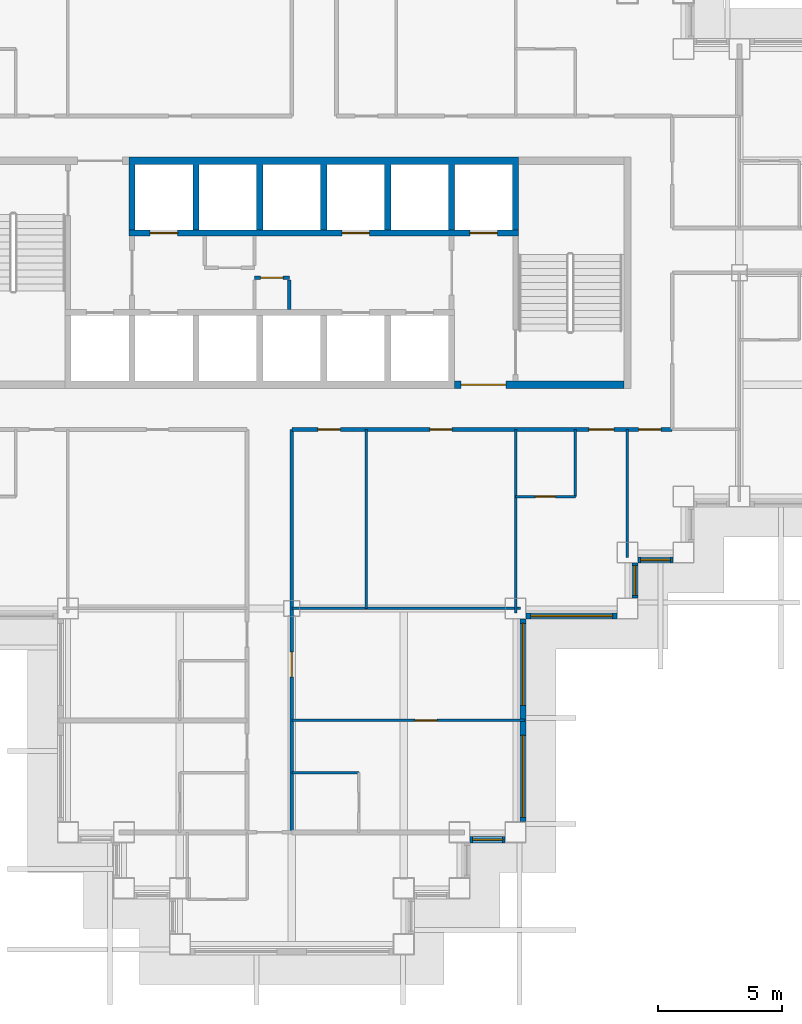
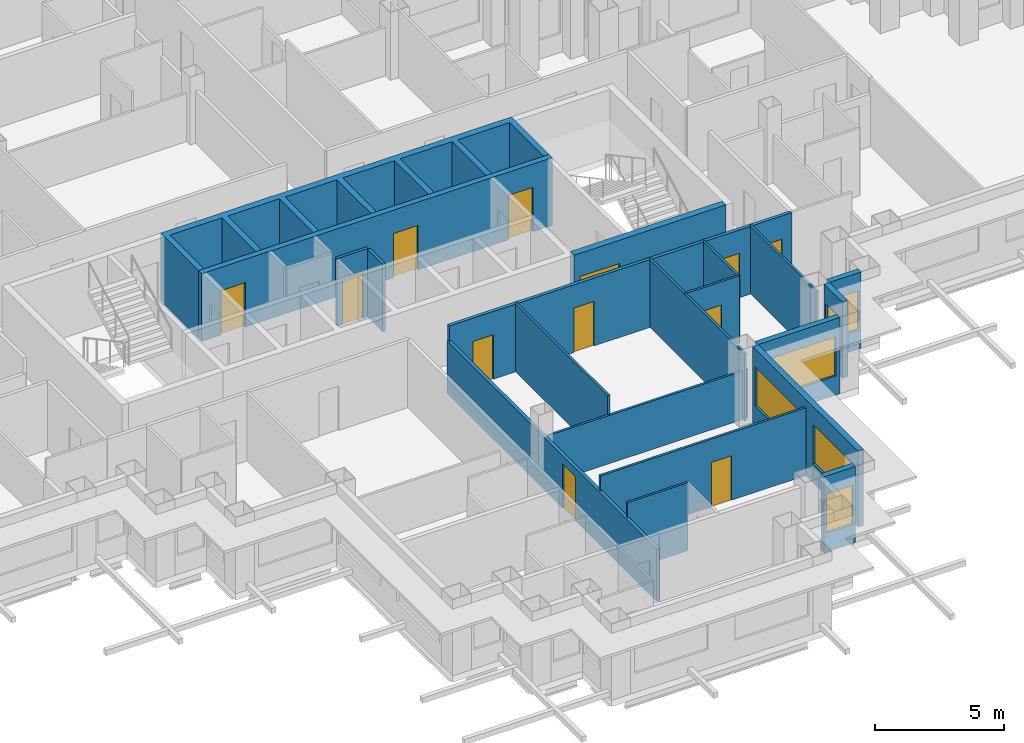
# One storey, part 7 of 17: 20 walls, 12 doors, 6 windows, 18 openings.
"""IFC4 building model written with IfcOpenShell, lengths in metres."""

from ifc_helpers import new_model, si_unit, direction, frame, frame_2d, origin, place, context, subcontext, project, spatial, polyline, rectangle, outline, extrude, material, layer, layer_set, type_object, element, fill, save


model = new_model("IFC4")

# Units and contexts
model_context = context("Model", 3, precision=1e-05, world=origin(), true_north=direction((0.0, 1.0)))
body_context = subcontext(model_context, "Body", "Model", "MODEL_VIEW")
ifc_project = project(units=[si_unit("LENGTHUNIT", "METRE"), si_unit("AREAUNIT", "SQUARE_METRE"), si_unit("VOLUMEUNIT", "CUBIC_METRE"), si_unit("PLANEANGLEUNIT", "RADIAN"), si_unit("MASSUNIT", "GRAM", prefix="KILO")], contexts=[model_context])

# Site, building, storey
site_placement = place(None, origin())
site = spatial("IfcSite", under=ifc_project, at=site_placement, CompositionType="ELEMENT")
building_placement = place(site_placement, origin())
building = spatial("IfcBuilding", under=site, at=building_placement, Name="Caravel Reach Hotel and Residences", CompositionType="ELEMENT")
storey_placement = place(building_placement, frame((0.0, 0.0, 136.800048828125)))
storey = spatial("IfcBuildingStorey", under=building, at=storey_placement, Name="L34", CompositionType="ELEMENT", Elevation=136.800048828125)

# Wall, opening, door
ifc_material_1 = material(Name="Gypsum board on steel stud", Category="steel")
ifc_layer_1 = layer(ifc_material_1, 0.10009765625)
ifc_layer_set_1 = layer_set([ifc_layer_1], Name="Bathroom pod wall 100 mm")
wall_type_1 = type_object("IfcWallType", Name="Bathroom pod wall 100 mm", PredefinedType="PARTITIONING", material=ifc_layer_set_1)
wall_1_placement = place(storey_placement, frame((40.5, 18.0, 0.0), z_axis=(0.0, 0.0, 1.0), x_axis=(1.0, 0.0, 0.0)))
wall_1 = element("IfcWall", 1, at=wall_1_placement, inside=storey, type_object=wall_type_1, Name="L34 wall w084", PredefinedType="PARTITIONING", context=body_context, shape_type="SweptSolid", body=[
    extrude(rectangle(XDim=2.39990234375, YDim=0.10009765625, at=frame_2d((1.199951171875, 0.0))), origin(), (0.0, 0.0, 1.0), 3.199951171875),
])
opening_1_placement = place(wall_1_placement, frame((0.800048828125, 0.0, 0.0)))
opening_1 = element("IfcOpeningElement", 2, at=opening_1_placement, cuts=wall_1, Name="Opening D34-055", PredefinedType="OPENING", context=body_context, shape_type="SweptSolid", body=[
    extrude(rectangle(XDim=0.800048828125, YDim=2.10009765625, at=frame_2d((0.39990234375, 1.050048828125))), frame((0.0, 0.06005859375, 0.0), z_axis=(0.0, -1.0, 0.0), x_axis=(1.0, 0.0, 0.0)), (0.0, 0.0, 1.0), 0.1201171875),
])
ifc_material_2 = material(Name="Timber and steel door leaf", Category="steel")
door_type_1 = type_object("IfcDoorType", Name="Bathroom door 800 x 2100", OperationType="SINGLE_SWING_LEFT", PredefinedType="DOOR", material=ifc_material_2)
door_1_placement = place(opening_1_placement, origin())
door_1 = element("IfcDoor", 3, at=door_1_placement, inside=storey, type_object=door_type_1, Name="door D34-055", OperationType="SINGLE_SWING_LEFT", OverallHeight=2.10009765625, OverallWidth=0.800048828125, PredefinedType="DOOR", context=body_context, shape_type="SweptSolid", body=[
    extrude(rectangle(XDim=0.800048828125, YDim=2.10009765625, at=frame_2d((0.39990234375, 1.050048828125))), frame((0.0, 0.02490234375, 0.0), z_axis=(0.0, -1.0, 0.0), x_axis=(1.0, 0.0, 0.0)), (0.0, 0.0, 1.0), 0.050048828125),
])
fill(opening_1, door_1)

# Walls
for number, where, z_axis, x_axis, name in (
    (4, (31.5, 6.89990234375, 0.0), (0.0, 0.0, 1.0), (1.0, 0.0, 0.0), "L34 wall w099"),
    (5, (42.89990234375, 18.0, 0.0), (0.0, 0.0, 1.0), (0.0, 1.0, 0.0), "L34 wall w116"),
):
    element("IfcWall", number, at=place(storey_placement, frame(where, z_axis=z_axis, x_axis=x_axis)), inside=storey, type_object=wall_type_1, Name=name, PredefinedType="PARTITIONING", context=body_context, shape_type="SweptSolid", body=[
        extrude(rectangle(XDim=2.699951171875, YDim=0.10009765625, at=frame_2d((1.35009765625, 0.0))), origin(), (0.0, 0.0, 1.0), 3.199951171875),
    ])

# Wall, opening, door
ifc_material_3 = material(Name="Concrete C60", Category="concrete")
ifc_layer_2 = layer(ifc_material_3, 0.300048828125)
ifc_layer_set_2 = layer_set([ifc_layer_2], Name="Core wall 300 mm EI 120")
wall_type_2 = type_object("IfcWallType", Name="Core wall 300 mm EI 120", PredefinedType="SHEAR", material=ifc_layer_set_2)
wall_2_placement = place(storey_placement, frame((38.053466796875, 22.5, 0.0), z_axis=(0.0, 0.0, 1.0), x_axis=(1.0, 0.0, 0.0)))
wall_2 = element("IfcWall", 6, at=wall_2_placement, inside=storey, type_object=wall_type_2, Name="L34 core wall S2", PredefinedType="SHEAR", context=body_context, shape_type="SweptSolid", body=[
    extrude(rectangle(XDim=6.796630859375, YDim=0.300048828125, at=frame_2d((3.3984375, 0.0))), origin(), (0.0, 0.0, 1.0), 3.199951171875),
])
opening_2_placement = place(wall_2_placement, frame((0.2607421875, 0.0, 0.0)))
opening_2 = element("IfcOpeningElement", 7, at=opening_2_placement, cuts=wall_2, Name="Opening D34-015", PredefinedType="OPENING", context=body_context, shape_type="SweptSolid", body=[
    extrude(rectangle(XDim=1.800048828125, YDim=2.10009765625, at=frame_2d((0.89990234375, 1.050048828125))), frame((0.0, 0.159912109375, 0.0), z_axis=(0.0, -1.0, 0.0), x_axis=(1.0, 0.0, 0.0)), (0.0, 0.0, 1.0), 0.320068359375),
])
ifc_material_4 = material(Name="Steel fire door leaf", Category="steel")
door_type_2 = type_object("IfcDoorType", Name="Fire lobby door pair 1800 x 2100 EI 90", OperationType="DOUBLE_DOOR_SINGLE_SWING", PredefinedType="DOOR", material=ifc_material_4)
door_2_placement = place(opening_2_placement, origin())
door_2 = element("IfcDoor", 8, at=door_2_placement, inside=storey, type_object=door_type_2, Name="lobby S door pair to corridor", OperationType="DOUBLE_DOOR_SINGLE_SWING", OverallHeight=2.10009765625, OverallWidth=1.800048828125, PredefinedType="DOOR", context=body_context, shape_type="SweptSolid", body=[
    extrude(rectangle(XDim=1.800048828125, YDim=2.10009765625, at=frame_2d((0.89990234375, 1.050048828125))), frame((0.0, 0.02490234375, 0.0), z_axis=(0.0, -1.0, 0.0), x_axis=(1.0, 0.0, 0.0)), (0.0, 0.0, 1.0), 0.050048828125),
])
fill(opening_2, door_2)

# Wall, openings, doors
ifc_material_5 = material(Name="Gypsum board on steel stud, fire-rated", Category="steel")
ifc_layer_3 = layer(ifc_material_5, 0.14990234375)
ifc_layer_set_3 = layer_set([ifc_layer_3], Name="Corridor wall 150 mm EI 60")
wall_type_3 = type_object("IfcWallType", Name="Corridor wall 150 mm EI 60", PredefinedType="PARTITIONING", material=ifc_layer_set_3)
wall_3_placement = place(storey_placement, frame((31.5, 20.699951171875, 0.0), z_axis=(0.0, 0.0, 1.0), x_axis=(1.0, 0.0, 0.0)))
wall_3 = element("IfcWall", 9, at=wall_3_placement, inside=storey, type_object=wall_type_3, Name="L34 wall w004", PredefinedType="PARTITIONING", context=body_context, shape_type="SweptSolid", body=[
    extrude(rectangle(XDim=15.300048828125, YDim=0.14990234375, at=frame_2d((7.64990234375, 0.0))), origin(), (0.0, 0.0, 1.0), 3.199951171875),
])
opening_3_placement = place(wall_3_placement, frame((11.949951171875, 0.0, 0.0)))
opening_3 = element("IfcOpeningElement", 10, at=opening_3_placement, cuts=wall_3, Name="Opening D34-054", PredefinedType="OPENING", context=body_context, shape_type="SweptSolid", body=[
    extrude(rectangle(XDim=1.0, YDim=2.10009765625, at=frame_2d((0.5, 1.050048828125))), frame((0.0, 0.0849609375, 0.0), z_axis=(0.0, -1.0, 0.0), x_axis=(1.0, 0.0, 0.0)), (0.0, 0.0, 1.0), 0.169921875),
])
opening_4_placement = place(wall_3_placement, frame((13.949951171875, 0.0, 0.0)))
opening_4 = element("IfcOpeningElement", 11, at=opening_4_placement, cuts=wall_3, Name="Opening D34-056", PredefinedType="OPENING", context=body_context, shape_type="SweptSolid", body=[
    extrude(rectangle(XDim=0.89990234375, YDim=2.10009765625, at=frame_2d((0.449951171875, 1.050048828125))), frame((0.0, 0.0849609375, 0.0), z_axis=(0.0, -1.0, 0.0), x_axis=(1.0, 0.0, 0.0)), (0.0, 0.0, 1.0), 0.169921875),
])
opening_5_placement = place(wall_3_placement, frame((1.050048828125, 0.0, 0.0)))
opening_5 = element("IfcOpeningElement", 12, at=opening_5_placement, cuts=wall_3, Name="Opening D34-061", PredefinedType="OPENING", context=body_context, shape_type="SweptSolid", body=[
    extrude(rectangle(XDim=0.89990234375, YDim=2.10009765625, at=frame_2d((0.449951171875, 1.050048828125))), frame((0.0, 0.0849609375, 0.0), z_axis=(0.0, -1.0, 0.0), x_axis=(1.0, 0.0, 0.0)), (0.0, 0.0, 1.0), 0.169921875),
])
opening_6_placement = place(wall_3_placement, frame((5.550048828125, 0.0, 0.0)))
opening_6 = element("IfcOpeningElement", 13, at=opening_6_placement, cuts=wall_3, Name="Opening D34-062", PredefinedType="OPENING", context=body_context, shape_type="SweptSolid", body=[
    extrude(rectangle(XDim=0.89990234375, YDim=2.10009765625, at=frame_2d((0.449951171875, 1.050048828125))), frame((0.0, 0.0849609375, 0.0), z_axis=(0.0, -1.0, 0.0), x_axis=(1.0, 0.0, 0.0)), (0.0, 0.0, 1.0), 0.169921875),
])
ifc_material_6 = material(Name="Timber and steel door leaf", Category="steel")
door_type_3 = type_object("IfcDoorType", Name="Door 900 x 2100 timber", OperationType="SINGLE_SWING_LEFT", PredefinedType="DOOR", material=ifc_material_6)
door_3_placement = place(opening_4_placement, origin())
door_3 = element("IfcDoor", 14, at=door_3_placement, inside=storey, type_object=door_type_3, Name="door D34-056", OperationType="SINGLE_SWING_LEFT", OverallHeight=2.10009765625, OverallWidth=0.89990234375, PredefinedType="DOOR", context=body_context, shape_type="SweptSolid", body=[
    extrude(rectangle(XDim=0.89990234375, YDim=2.10009765625, at=frame_2d((0.449951171875, 1.050048828125))), frame((0.0, 0.02490234375, 0.0), z_axis=(0.0, -1.0, 0.0), x_axis=(1.0, 0.0, 0.0)), (0.0, 0.0, 1.0), 0.050048828125),
])
fill(opening_4, door_3)
door_4_placement = place(opening_5_placement, origin())
door_4 = element("IfcDoor", 15, at=door_4_placement, inside=storey, type_object=door_type_3, Name="door D34-061", OperationType="SINGLE_SWING_RIGHT", OverallHeight=2.10009765625, OverallWidth=0.89990234375, PredefinedType="DOOR", context=body_context, shape_type="SweptSolid", body=[
    extrude(rectangle(XDim=0.89990234375, YDim=2.10009765625, at=frame_2d((0.449951171875, 1.050048828125))), frame((0.0, 0.02490234375, 0.0), z_axis=(0.0, -1.0, 0.0), x_axis=(1.0, 0.0, 0.0)), (0.0, 0.0, 1.0), 0.050048828125),
])
fill(opening_5, door_4)
door_5_placement = place(opening_6_placement, origin())
door_5 = element("IfcDoor", 16, at=door_5_placement, inside=storey, type_object=door_type_3, Name="door D34-062", OperationType="SINGLE_SWING_RIGHT", OverallHeight=2.10009765625, OverallWidth=0.89990234375, PredefinedType="DOOR", context=body_context, shape_type="SweptSolid", body=[
    extrude(rectangle(XDim=0.89990234375, YDim=2.10009765625, at=frame_2d((0.449951171875, 1.050048828125))), frame((0.0, 0.02490234375, 0.0), z_axis=(0.0, -1.0, 0.0), x_axis=(1.0, 0.0, 0.0)), (0.0, 0.0, 1.0), 0.050048828125),
])
fill(opening_6, door_5)
ifc_material_7 = material(Name="Steel fire door leaf", Category="steel")
door_type_4 = type_object("IfcDoorType", Name="Guest room door 1000 x 2100 EI 30", OperationType="SINGLE_SWING_LEFT", PredefinedType="DOOR", material=ifc_material_7)
door_6_placement = place(opening_3_placement, origin())
door_6 = element("IfcDoor", 17, at=door_6_placement, inside=storey, type_object=door_type_4, Name="door D34-054", OperationType="SINGLE_SWING_RIGHT", OverallHeight=2.10009765625, OverallWidth=1.0, PredefinedType="DOOR", context=body_context, shape_type="SweptSolid", body=[
    extrude(rectangle(XDim=1.0, YDim=2.10009765625, at=frame_2d((0.5, 1.050048828125))), frame((0.0, 0.02490234375, 0.0), z_axis=(0.0, -1.0, 0.0), x_axis=(1.0, 0.0, 0.0)), (0.0, 0.0, 1.0), 0.050048828125),
])
fill(opening_3, door_6)

# Wall, opening, door
wall_4_placement = place(storey_placement, frame((31.5, 4.5, 0.0), z_axis=(0.0, 0.0, 1.0), x_axis=(0.0, 1.0, 0.0)))
wall_4 = element("IfcWall", 18, at=wall_4_placement, inside=storey, type_object=wall_type_3, Name="L34 wall w033", PredefinedType="PARTITIONING", context=body_context, shape_type="SweptSolid", body=[
    extrude(rectangle(XDim=16.199951171875, YDim=0.14990234375, at=frame_2d((8.10009765625, 0.0))), origin(), (0.0, 0.0, 1.0), 2.47998046875),
])
opening_7_placement = place(wall_4_placement, frame((6.25, 0.0, 0.0)))
opening_7 = element("IfcOpeningElement", 19, at=opening_7_placement, cuts=wall_4, Name="Opening D34-039", PredefinedType="OPENING", context=body_context, shape_type="SweptSolid", body=[
    extrude(rectangle(XDim=1.0, YDim=2.10009765625, at=frame_2d((0.5, 1.050048828125))), frame((0.0, 0.0849609375, 0.0), z_axis=(0.0, -1.0, 0.0), x_axis=(1.0, 0.0, 0.0)), (0.0, 0.0, 1.0), 0.169921875),
])
door_7_placement = place(opening_7_placement, origin())
door_7 = element("IfcDoor", 20, at=door_7_placement, inside=storey, type_object=door_type_4, Name="door D34-039", OperationType="SINGLE_SWING_RIGHT", OverallHeight=2.10009765625, OverallWidth=1.0, PredefinedType="DOOR", context=body_context, shape_type="SweptSolid", body=[
    extrude(rectangle(XDim=1.0, YDim=2.10009765625, at=frame_2d((0.5, 1.050048828125))), frame((0.0, 0.02490234375, 0.0), z_axis=(0.0, -1.0, 0.0), x_axis=(1.0, 0.0, 0.0)), (0.0, 0.0, 1.0), 0.050048828125),
])
fill(opening_7, door_7)

# Wall, opening, window
ifc_material_8 = material(Name="Insulated rainscreen wall, aluminium cladding", Category="aluminium")
ifc_layer_4 = layer(ifc_material_8, 0.25)
ifc_layer_set_4 = layer_set([ifc_layer_4], Name="EW1 Tower rainscreen wall")
wall_type_4 = type_object("IfcWallType", Name="EW1 Tower rainscreen wall", PredefinedType="SOLIDWALL", material=ifc_layer_set_4)
wall_5_placement = place(storey_placement, frame((38.675048828125, 4.199951171875, 0.0), z_axis=(0.0, 0.0, 1.0), x_axis=(1.0, 0.0, 0.0)))
wall_5 = element("IfcWall", 21, at=wall_5_placement, inside=storey, type_object=wall_type_4, Name="External wall L34 S9.1", PredefinedType="SOLIDWALL", context=body_context, shape_type="SweptSolid", body=[
    extrude(rectangle(XDim=1.39990234375, YDim=0.25, at=frame_2d((0.699951171875, 0.0))), origin(), (0.0, 0.0, 1.0), 3.599853515625),
])
opening_8_placement = place(wall_5_placement, frame((0.10009765625, 0.0, 0.89990234375)))
opening_8 = element("IfcOpeningElement", 22, at=opening_8_placement, cuts=wall_5, Name="Opening WN10", PredefinedType="OPENING", context=body_context, shape_type="SweptSolid", body=[
    extrude(rectangle(XDim=1.199951171875, YDim=1.85009765625, at=frame_2d((0.60009765625, 0.925048828125))), frame((0.0, 0.135009765625, 0.0), z_axis=(0.0, -1.0, 0.0), x_axis=(1.0, 0.0, 0.0)), (0.0, 0.0, 1.0), 0.27001953125),
])
ifc_material_9 = material(Name="Dark low-e glazing in black aluminium frame", Category="aluminium")
window_type_1 = type_object("IfcWindowType", Name="Hotel suite corner window 1200 x 1850", PartitioningType="SINGLE_PANEL", PredefinedType="WINDOW", material=ifc_material_9)
window_1_placement = place(opening_8_placement, origin())
window_1 = element("IfcWindow", 23, at=window_1_placement, inside=storey, type_object=window_type_1, Name="Window L34 S9.1.1", OverallHeight=1.85009765625, OverallWidth=1.199951171875, PartitioningType="SINGLE_PANEL", PredefinedType="WINDOW", context=body_context, shape_type="SweptSolid", body=[
    extrude(rectangle(XDim=1.199951171875, YDim=1.85009765625, at=frame_2d((0.60009765625, 0.925048828125))), frame((0.0, 0.030029296875, 0.0), z_axis=(0.0, -1.0, 0.0), x_axis=(1.0, 0.0, 0.0)), (0.0, 0.0, 1.0), 0.06005859375),
])
fill(opening_8, window_1)

# Wall, openings, windows
wall_6_placement = place(storey_placement, frame((40.800048828125, 4.925048828125, 0.0), z_axis=(0.0, 0.0, 1.0), x_axis=(0.0, 1.0, 0.0)))
wall_6 = element("IfcWall", 24, at=wall_6_placement, inside=storey, type_object=wall_type_4, Name="External wall L34 E10.1", PredefinedType="SOLIDWALL", context=body_context, shape_type="SweptSolid", body=[
    extrude(rectangle(XDim=8.14990234375, YDim=0.25, at=frame_2d((4.074951171875, 0.0))), origin(), (0.0, 0.0, 1.0), 3.599853515625),
])
opening_9_placement = place(wall_6_placement, frame((0.175048828125, 0.0, 0.89990234375)))
opening_9 = element("IfcOpeningElement", 25, at=opening_9_placement, cuts=wall_6, Name="Opening WN7", PredefinedType="OPENING", context=body_context, shape_type="SweptSolid", body=[
    extrude(rectangle(XDim=3.300048828125, YDim=1.85009765625, at=frame_2d((1.64990234375, 0.925048828125))), frame((0.0, 0.135009765625, 0.0), z_axis=(0.0, -1.0, 0.0), x_axis=(1.0, 0.0, 0.0)), (0.0, 0.0, 1.0), 0.27001953125),
])
opening_10_placement = place(wall_6_placement, frame((4.675048828125, 0.0, 0.89990234375)))
opening_10 = element("IfcOpeningElement", 26, at=opening_10_placement, cuts=wall_6, Name="Opening WN7", PredefinedType="OPENING", context=body_context, shape_type="SweptSolid", body=[
    extrude(rectangle(XDim=3.300048828125, YDim=1.85009765625, at=frame_2d((1.64990234375, 0.925048828125))), frame((0.0, 0.135009765625, 0.0), z_axis=(0.0, -1.0, 0.0), x_axis=(1.0, 0.0, 0.0)), (0.0, 0.0, 1.0), 0.27001953125),
])
ifc_material_10 = material(Name="Dark low-e glazing in black aluminium frame", Category="aluminium")
window_type_2 = type_object("IfcWindowType", Name="Hotel guest room window 3300 x 1850", PartitioningType="SINGLE_PANEL", PredefinedType="WINDOW", material=ifc_material_10)
window_2_placement = place(opening_9_placement, origin())
window_2 = element("IfcWindow", 27, at=window_2_placement, inside=storey, type_object=window_type_2, Name="Window L34 E10.1.1", OverallHeight=1.85009765625, OverallWidth=3.300048828125, PartitioningType="SINGLE_PANEL", PredefinedType="WINDOW", context=body_context, shape_type="SweptSolid", body=[
    extrude(rectangle(XDim=3.300048828125, YDim=1.85009765625, at=frame_2d((1.64990234375, 0.925048828125))), frame((0.0, 0.030029296875, 0.0), z_axis=(0.0, -1.0, 0.0), x_axis=(1.0, 0.0, 0.0)), (0.0, 0.0, 1.0), 0.06005859375),
])
fill(opening_9, window_2)
window_3_placement = place(opening_10_placement, origin())
window_3 = element("IfcWindow", 28, at=window_3_placement, inside=storey, type_object=window_type_2, Name="Window L34 E10.1.2", OverallHeight=1.85009765625, OverallWidth=3.300048828125, PartitioningType="SINGLE_PANEL", PredefinedType="WINDOW", context=body_context, shape_type="SweptSolid", body=[
    extrude(rectangle(XDim=3.300048828125, YDim=1.85009765625, at=frame_2d((1.64990234375, 0.925048828125))), frame((0.0, 0.030029296875, 0.0), z_axis=(0.0, -1.0, 0.0), x_axis=(1.0, 0.0, 0.0)), (0.0, 0.0, 1.0), 0.06005859375),
])
fill(opening_10, window_3)

# Wall, opening, window
wall_7_placement = place(storey_placement, frame((40.925048828125, 13.199951171875, 0.0), z_axis=(0.0, 0.0, 1.0), x_axis=(1.0, 0.0, 0.0)))
wall_7 = element("IfcWall", 29, at=wall_7_placement, inside=storey, type_object=wall_type_4, Name="External wall L34 S11.1", PredefinedType="SOLIDWALL", context=body_context, shape_type="SweptSolid", body=[
    extrude(rectangle(XDim=3.64990234375, YDim=0.25, at=frame_2d((1.824951171875, 0.0))), origin(), (0.0, 0.0, 1.0), 3.599853515625),
])
opening_11_placement = place(wall_7_placement, frame((0.175048828125, 0.0, 0.89990234375)))
opening_11 = element("IfcOpeningElement", 30, at=opening_11_placement, cuts=wall_7, Name="Opening WN7", PredefinedType="OPENING", context=body_context, shape_type="SweptSolid", body=[
    extrude(rectangle(XDim=3.300048828125, YDim=1.85009765625, at=frame_2d((1.64990234375, 0.925048828125))), frame((0.0, 0.135009765625, 0.0), z_axis=(0.0, -1.0, 0.0), x_axis=(1.0, 0.0, 0.0)), (0.0, 0.0, 1.0), 0.27001953125),
])
window_4_placement = place(opening_11_placement, origin())
window_4 = element("IfcWindow", 31, at=window_4_placement, inside=storey, type_object=window_type_2, Name="Window L34 S11.1.1", OverallHeight=1.85009765625, OverallWidth=3.300048828125, PartitioningType="SINGLE_PANEL", PredefinedType="WINDOW", context=body_context, shape_type="SweptSolid", body=[
    extrude(rectangle(XDim=3.300048828125, YDim=1.85009765625, at=frame_2d((1.64990234375, 0.925048828125))), frame((0.0, 0.030029296875, 0.0), z_axis=(0.0, -1.0, 0.0), x_axis=(1.0, 0.0, 0.0)), (0.0, 0.0, 1.0), 0.06005859375),
])
fill(opening_11, window_4)

wall_8_placement = place(storey_placement, frame((45.300048828125, 13.925048828125, 0.0), z_axis=(0.0, 0.0, 1.0), x_axis=(0.0, 1.0, 0.0)))
wall_8 = element("IfcWall", 32, at=wall_8_placement, inside=storey, type_object=wall_type_4, Name="External wall L34 E12.1", PredefinedType="SOLIDWALL", context=body_context, shape_type="SweptSolid", body=[
    extrude(rectangle(XDim=1.39990234375, YDim=0.25, at=frame_2d((0.699951171875, 0.0))), origin(), (0.0, 0.0, 1.0), 3.599853515625),
])
opening_12_placement = place(wall_8_placement, frame((0.10009765625, 0.0, 0.89990234375)))
opening_12 = element("IfcOpeningElement", 33, at=opening_12_placement, cuts=wall_8, Name="Opening WN10", PredefinedType="OPENING", context=body_context, shape_type="SweptSolid", body=[
    extrude(rectangle(XDim=1.199951171875, YDim=1.85009765625, at=frame_2d((0.60009765625, 0.925048828125))), frame((0.0, 0.135009765625, 0.0), z_axis=(0.0, -1.0, 0.0), x_axis=(1.0, 0.0, 0.0)), (0.0, 0.0, 1.0), 0.27001953125),
])
window_5_placement = place(opening_12_placement, origin())
window_5 = element("IfcWindow", 34, at=window_5_placement, inside=storey, type_object=window_type_1, Name="Window L34 E12.1.1", OverallHeight=1.85009765625, OverallWidth=1.199951171875, PartitioningType="SINGLE_PANEL", PredefinedType="WINDOW", context=body_context, shape_type="SweptSolid", body=[
    extrude(rectangle(XDim=1.199951171875, YDim=1.85009765625, at=frame_2d((0.60009765625, 0.925048828125))), frame((0.0, 0.030029296875, 0.0), z_axis=(0.0, -1.0, 0.0), x_axis=(1.0, 0.0, 0.0)), (0.0, 0.0, 1.0), 0.06005859375),
])
fill(opening_12, window_5)

wall_9_placement = place(storey_placement, frame((45.425048828125, 15.449951171875, 0.0), z_axis=(0.0, 0.0, 1.0), x_axis=(1.0, 0.0, 0.0)))
wall_9 = element("IfcWall", 35, at=wall_9_placement, inside=storey, type_object=wall_type_4, Name="External wall L34 S13.1", PredefinedType="SOLIDWALL", context=body_context, shape_type="SweptSolid", body=[
    extrude(rectangle(XDim=1.39990234375, YDim=0.25, at=frame_2d((0.699951171875, 0.0))), origin(), (0.0, 0.0, 1.0), 3.599853515625),
])
opening_13_placement = place(wall_9_placement, frame((0.10009765625, 0.0, 0.89990234375)))
opening_13 = element("IfcOpeningElement", 36, at=opening_13_placement, cuts=wall_9, Name="Opening WN10", PredefinedType="OPENING", context=body_context, shape_type="SweptSolid", body=[
    extrude(rectangle(XDim=1.199951171875, YDim=1.85009765625, at=frame_2d((0.60009765625, 0.925048828125))), frame((0.0, 0.135009765625, 0.0), z_axis=(0.0, -1.0, 0.0), x_axis=(1.0, 0.0, 0.0)), (0.0, 0.0, 1.0), 0.27001953125),
])
window_6_placement = place(opening_13_placement, origin())
window_6 = element("IfcWindow", 37, at=window_6_placement, inside=storey, type_object=window_type_1, Name="Window L34 S13.1.1", OverallHeight=1.85009765625, OverallWidth=1.199951171875, PartitioningType="SINGLE_PANEL", PredefinedType="WINDOW", context=body_context, shape_type="SweptSolid", body=[
    extrude(rectangle(XDim=1.199951171875, YDim=1.85009765625, at=frame_2d((0.60009765625, 0.925048828125))), frame((0.0, 0.030029296875, 0.0), z_axis=(0.0, -1.0, 0.0), x_axis=(1.0, 0.0, 0.0)), (0.0, 0.0, 1.0), 0.06005859375),
])
fill(opening_13, window_6)

# Wall
ifc_material_11 = material(Name="Gypsum board on steel stud", Category="steel")
ifc_layer_5 = layer(ifc_material_11, 0.10009765625)
ifc_layer_set_5 = layer_set([ifc_layer_5], Name="Partition 100 mm")
wall_type_5 = type_object("IfcWallType", Name="Partition 100 mm", PredefinedType="PARTITIONING", material=ifc_layer_set_5)
wall_10_placement = place(storey_placement, frame((31.5, 13.5, 0.0), z_axis=(0.0, 0.0, 1.0), x_axis=(1.0, 0.0, 0.0)))
element("IfcWall", 38, at=wall_10_placement, inside=storey, type_object=wall_type_5, Name="L34 wall w043", PredefinedType="PARTITIONING", context=body_context, shape_type="SweptSolid", body=[
    extrude(rectangle(XDim=9.18994140625, YDim=0.10009765625, at=frame_2d((4.594970703125, 0.0))), origin(), (0.0, 0.0, 1.0), 2.280029296875),
])

# Wall, opening, door
wall_11_placement = place(storey_placement, frame((31.5, 9.0, 0.0), z_axis=(0.0, 0.0, 1.0), x_axis=(1.0, 0.0, 0.0)))
wall_11 = element("IfcWall", 39, at=wall_11_placement, inside=storey, type_object=wall_type_5, Name="L34 wall w054", PredefinedType="PARTITIONING", context=body_context, shape_type="SweptSolid", body=[
    extrude(rectangle(XDim=9.364990234375, YDim=0.10009765625, at=frame_2d((4.6826171875, 0.0))), origin(), (0.0, 0.0, 1.0), 3.199951171875),
])
opening_14_placement = place(wall_11_placement, frame((4.949951171875, 0.0, 0.0)))
opening_14 = element("IfcOpeningElement", 40, at=opening_14_placement, cuts=wall_11, Name="Opening D34-040", PredefinedType="OPENING", context=body_context, shape_type="SweptSolid", body=[
    extrude(rectangle(XDim=0.89990234375, YDim=2.10009765625, at=frame_2d((0.449951171875, 1.050048828125))), frame((0.0, 0.06005859375, 0.0), z_axis=(0.0, -1.0, 0.0), x_axis=(1.0, 0.0, 0.0)), (0.0, 0.0, 1.0), 0.1201171875),
])
door_8_placement = place(opening_14_placement, origin())
door_8 = element("IfcDoor", 41, at=door_8_placement, inside=storey, type_object=door_type_3, Name="door D34-040", OperationType="SINGLE_SWING_RIGHT", OverallHeight=2.10009765625, OverallWidth=0.89990234375, PredefinedType="DOOR", context=body_context, shape_type="SweptSolid", body=[
    extrude(rectangle(XDim=0.89990234375, YDim=2.10009765625, at=frame_2d((0.449951171875, 1.050048828125))), frame((0.0, 0.02490234375, 0.0), z_axis=(0.0, -1.0, 0.0), x_axis=(1.0, 0.0, 0.0)), (0.0, 0.0, 1.0), 0.050048828125),
])
fill(opening_14, door_8)

# Walls
wall_12_placement = place(storey_placement, frame((34.5, 13.5, 0.0), z_axis=(0.0, 0.0, 1.0), x_axis=(0.0, 1.0, 0.0)))
element("IfcWall", 42, at=wall_12_placement, inside=storey, type_object=wall_type_5, Name="L34 wall w059", PredefinedType="PARTITIONING", context=body_context, shape_type="SweptSolid", body=[
    extrude(rectangle(XDim=7.199951171875, YDim=0.10009765625, at=frame_2d((3.60009765625, 0.0))), origin(), (0.0, 0.0, 1.0), 3.199951171875),
])
wall_13_placement = place(storey_placement, frame((40.5, 13.31005859375, 0.0), z_axis=(0.0, 0.0, 1.0), x_axis=(0.0, 1.0, 0.0)))
element("IfcWall", 43, at=wall_13_placement, inside=storey, type_object=wall_type_5, Name="L34 wall w062", PredefinedType="PARTITIONING", context=body_context, shape_type="SweptSolid", body=[
    extrude(rectangle(XDim=7.389892578125, YDim=0.10009765625, at=frame_2d((3.69482421875, 0.0))), origin(), (0.0, 0.0, 1.0), 3.199951171875),
])
wall_14_placement = place(storey_placement, frame((45.0, 15.56005859375, 0.0), z_axis=(0.0, 0.0, 1.0), x_axis=(0.0, 1.0, 0.0)))
element("IfcWall", 44, at=wall_14_placement, inside=storey, type_object=wall_type_5, Name="L34 wall w063", PredefinedType="PARTITIONING", context=body_context, shape_type="SweptSolid", body=[
    extrude(rectangle(XDim=5.139892578125, YDim=0.10009765625, at=frame_2d((2.56982421875, 0.0))), origin(), (0.0, 0.0, 1.0), 3.199951171875),
])

# Wall, opening, door
ifc_material_12 = material(Name="Autoclaved aerated block wall")
ifc_layer_6 = layer(ifc_material_12, 0.125)
ifc_layer_set_6 = layer_set([ifc_layer_6], Name="Riser wall 125 mm EI 60")
wall_type_6 = type_object("IfcWallType", Name="Riser wall 125 mm EI 60", PredefinedType="PARTITIONING", material=ifc_layer_set_6)
wall_15_placement = place(storey_placement, frame((30.0, 26.800048828125, 0.0), z_axis=(0.0, 0.0, 1.0), x_axis=(1.0, 0.0, 0.0)))
wall_15 = element("IfcWall", 45, at=wall_15_placement, inside=storey, type_object=wall_type_6, Name="L34 service room wall S1", PredefinedType="PARTITIONING", context=body_context, shape_type="SweptSolid", body=[
    extrude(rectangle(XDim=1.39990234375, YDim=0.125, at=frame_2d((0.699951171875, 0.0))), origin(), (0.0, 0.0, 1.0), 3.199951171875),
])
opening_15_placement = place(wall_15_placement, frame((0.25, 0.0, 0.0)))
opening_15 = element("IfcOpeningElement", 46, at=opening_15_placement, cuts=wall_15, Name="Opening D34-008", PredefinedType="OPENING", context=body_context, shape_type="SweptSolid", body=[
    extrude(rectangle(XDim=0.89990234375, YDim=2.10009765625, at=frame_2d((0.449951171875, 1.050048828125))), frame((0.0, 0.072509765625, 0.0), z_axis=(0.0, -1.0, 0.0), x_axis=(1.0, 0.0, 0.0)), (0.0, 0.0, 1.0), 0.14501953125),
])
ifc_material_13 = material(Name="Steel fire door leaf", Category="steel")
door_type_5 = type_object("IfcDoorType", Name="Riser door 900 x 2100 EI 60", OperationType="SINGLE_SWING_LEFT", PredefinedType="DOOR", material=ifc_material_13)
door_9_placement = place(opening_15_placement, origin())
door_9 = element("IfcDoor", 47, at=door_9_placement, inside=storey, type_object=door_type_5, Name="Water treatment room door", OperationType="SINGLE_SWING_LEFT", OverallHeight=2.10009765625, OverallWidth=0.89990234375, PredefinedType="DOOR", context=body_context, shape_type="SweptSolid", body=[
    extrude(rectangle(XDim=0.89990234375, YDim=2.10009765625, at=frame_2d((0.449951171875, 1.050048828125))), frame((0.0, 0.02490234375, 0.0), z_axis=(0.0, -1.0, 0.0), x_axis=(1.0, 0.0, 0.0)), (0.0, 0.0, 1.0), 0.050048828125),
])
fill(opening_15, door_9)

# Walls
wall_16_placement = place(storey_placement, frame((31.39990234375, 25.52490234375, 0.0), z_axis=(0.0, 0.0, 1.0), x_axis=(0.0, 1.0, 0.0)))
element("IfcWall", 48, at=wall_16_placement, inside=storey, type_object=wall_type_6, Name="L34 service room partition S1", PredefinedType="PARTITIONING", context=body_context, shape_type="SweptSolid", body=[
    extrude(rectangle(XDim=1.175048828125, YDim=0.125, at=frame_2d((0.58740234375, 0.0))), origin(), (0.0, 0.0, 1.0), 3.199951171875),
])
ifc_material_14 = material(Name="Concrete C60", Category="concrete")
ifc_layer_7 = layer(ifc_material_14, 0.25)
ifc_layer_set_7 = layer_set([ifc_layer_7], Name="Shaft wall 250 mm EI 120")
wall_type_7 = type_object("IfcWallType", Name="Shaft wall 250 mm EI 120", PredefinedType="SHEAR", material=ifc_layer_set_7)
wall_17_placement = place(storey_placement, origin())
element("IfcWall", 49, at=wall_17_placement, inside=storey, type_object=wall_type_7, Name="L34 lift shaft wall N1", PredefinedType="SHEAR", context=body_context, shape_type="SweptSolid", body=[
    extrude(outline(polyline([(24.946533203125, 28.72509765625), (25.196533203125, 28.72509765625), (25.196533203125, 31.35009765625), (27.517822265625, 31.35009765625), (27.517822265625, 28.72509765625), (27.767822265625, 28.72509765625), (27.767822265625, 31.35009765625), (30.08935546875, 31.35009765625), (30.08935546875, 28.72509765625), (30.33935546875, 28.72509765625), (30.33935546875, 31.35009765625), (32.66064453125, 31.35009765625), (32.66064453125, 28.72509765625), (32.91064453125, 28.72509765625), (32.91064453125, 31.35009765625), (35.232177734375, 31.35009765625), (35.232177734375, 28.72509765625), (35.482177734375, 28.72509765625), (35.482177734375, 31.35009765625), (37.803466796875, 31.35009765625), (37.803466796875, 28.72509765625), (38.053466796875, 28.72509765625), (38.053466796875, 31.35009765625), (40.375, 31.35009765625), (40.375, 28.72509765625), (40.625, 28.72509765625), (40.625, 31.64990234375), (24.946533203125, 31.64990234375), (24.946533203125, 28.72509765625)])), origin(), (0.0, 0.0, 1.0), 3.199951171875),
])

# Wall, openings, doors
wall_18_placement = place(storey_placement, frame((24.946533203125, 28.60009765625, 0.0), z_axis=(0.0, 0.0, 1.0), x_axis=(1.0, 0.0, 0.0)))
wall_18 = element("IfcWall", 50, at=wall_18_placement, inside=storey, type_object=wall_type_7, Name="L34 lobby wall N1", PredefinedType="SHEAR", context=body_context, shape_type="SweptSolid", body=[
    extrude(rectangle(XDim=15.678466796875, YDim=0.25, at=frame_2d((7.83935546875, 0.0))), origin(), (0.0, 0.0, 1.0), 3.199951171875),
])
opening_16_placement = place(wall_18_placement, frame((0.860595703125, 0.0, 0.0)))
opening_16 = element("IfcOpeningElement", 51, at=opening_16_placement, cuts=wall_18, Name="Opening D34-004", PredefinedType="OPENING", context=body_context, shape_type="SweptSolid", body=[
    extrude(rectangle(XDim=1.10009765625, YDim=2.10009765625, at=frame_2d((0.550048828125, 1.050048828125))), frame((0.0, 0.135009765625, 0.0), z_axis=(0.0, -1.0, 0.0), x_axis=(1.0, 0.0, 0.0)), (0.0, 0.0, 1.0), 0.27001953125),
])
opening_17_placement = place(wall_18_placement, frame((8.574951171875, 0.0, 0.0)))
opening_17 = element("IfcOpeningElement", 52, at=opening_17_placement, cuts=wall_18, Name="Opening D34-005", PredefinedType="OPENING", context=body_context, shape_type="SweptSolid", body=[
    extrude(rectangle(XDim=1.10009765625, YDim=2.10009765625, at=frame_2d((0.550048828125, 1.050048828125))), frame((0.0, 0.135009765625, 0.0), z_axis=(0.0, -1.0, 0.0), x_axis=(1.0, 0.0, 0.0)), (0.0, 0.0, 1.0), 0.27001953125),
])
opening_18_placement = place(wall_18_placement, frame((13.718017578125, 0.0, 0.0)))
opening_18 = element("IfcOpeningElement", 53, at=opening_18_placement, cuts=wall_18, Name="Opening D34-007", PredefinedType="OPENING", context=body_context, shape_type="SweptSolid", body=[
    extrude(rectangle(XDim=1.10009765625, YDim=2.10009765625, at=frame_2d((0.550048828125, 1.050048828125))), frame((0.0, 0.135009765625, 0.0), z_axis=(0.0, -1.0, 0.0), x_axis=(1.0, 0.0, 0.0)), (0.0, 0.0, 1.0), 0.27001953125),
])
ifc_material_15 = material(Name="Stainless steel landing door", Category="steel")
door_type_6 = type_object("IfcDoorType", Name="Landing door LD 1100 x 2100 sliding", OperationType="DOUBLE_DOOR_SLIDING", PredefinedType="DOOR", material=ifc_material_15)
door_10_placement = place(opening_16_placement, origin())
door_10 = element("IfcDoor", 54, at=door_10_placement, inside=storey, type_object=door_type_6, Name="LP4 landing door", OperationType="DOUBLE_DOOR_SLIDING", OverallHeight=2.10009765625, OverallWidth=1.10009765625, PredefinedType="DOOR", context=body_context, shape_type="SweptSolid", body=[
    extrude(rectangle(XDim=1.10009765625, YDim=2.10009765625, at=frame_2d((0.550048828125, 1.050048828125))), frame((0.0, 0.02490234375, 0.0), z_axis=(0.0, -1.0, 0.0), x_axis=(1.0, 0.0, 0.0)), (0.0, 0.0, 1.0), 0.050048828125),
])
fill(opening_16, door_10)
door_11_placement = place(opening_17_placement, origin())
door_11 = element("IfcDoor", 55, at=door_11_placement, inside=storey, type_object=door_type_6, Name="LP5 landing door", OperationType="DOUBLE_DOOR_SLIDING", OverallHeight=2.10009765625, OverallWidth=1.10009765625, PredefinedType="DOOR", context=body_context, shape_type="SweptSolid", body=[
    extrude(rectangle(XDim=1.10009765625, YDim=2.10009765625, at=frame_2d((0.550048828125, 1.050048828125))), frame((0.0, 0.02490234375, 0.0), z_axis=(0.0, -1.0, 0.0), x_axis=(1.0, 0.0, 0.0)), (0.0, 0.0, 1.0), 0.050048828125),
])
fill(opening_17, door_11)
door_12_placement = place(opening_18_placement, origin())
door_12 = element("IfcDoor", 56, at=door_12_placement, inside=storey, type_object=door_type_6, Name="FL2 landing door", OperationType="DOUBLE_DOOR_SLIDING", OverallHeight=2.10009765625, OverallWidth=1.10009765625, PredefinedType="DOOR", context=body_context, shape_type="SweptSolid", body=[
    extrude(rectangle(XDim=1.10009765625, YDim=2.10009765625, at=frame_2d((0.550048828125, 1.050048828125))), frame((0.0, 0.02490234375, 0.0), z_axis=(0.0, -1.0, 0.0), x_axis=(1.0, 0.0, 0.0)), (0.0, 0.0, 1.0), 0.050048828125),
])
fill(opening_18, door_12)

save(model, "model.ifc")
